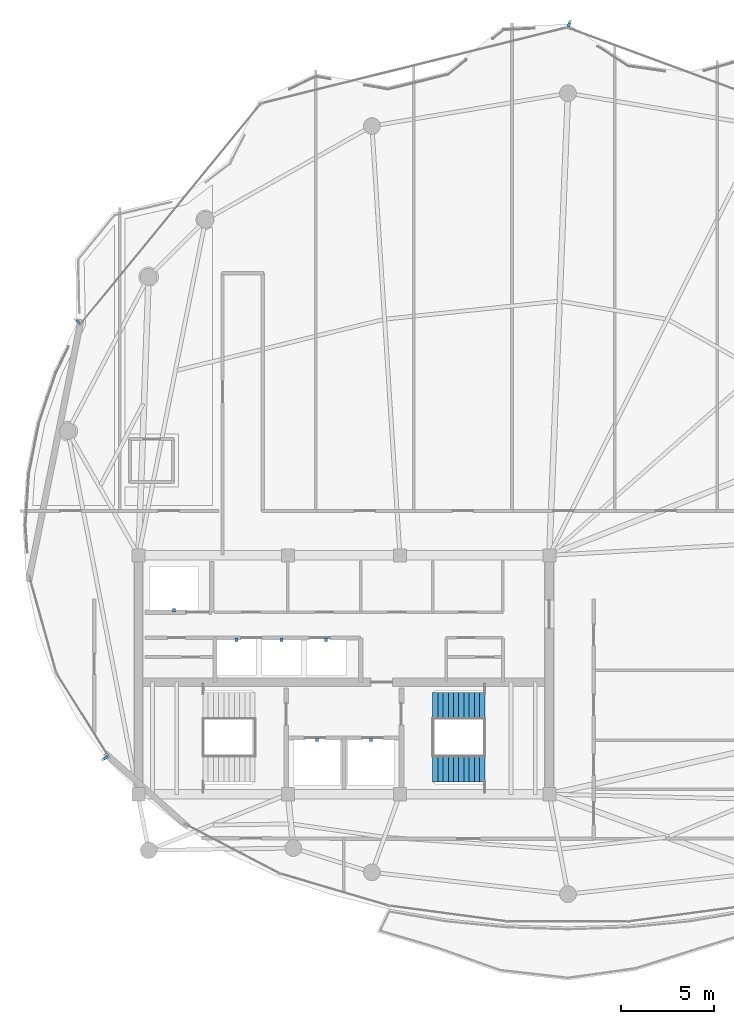
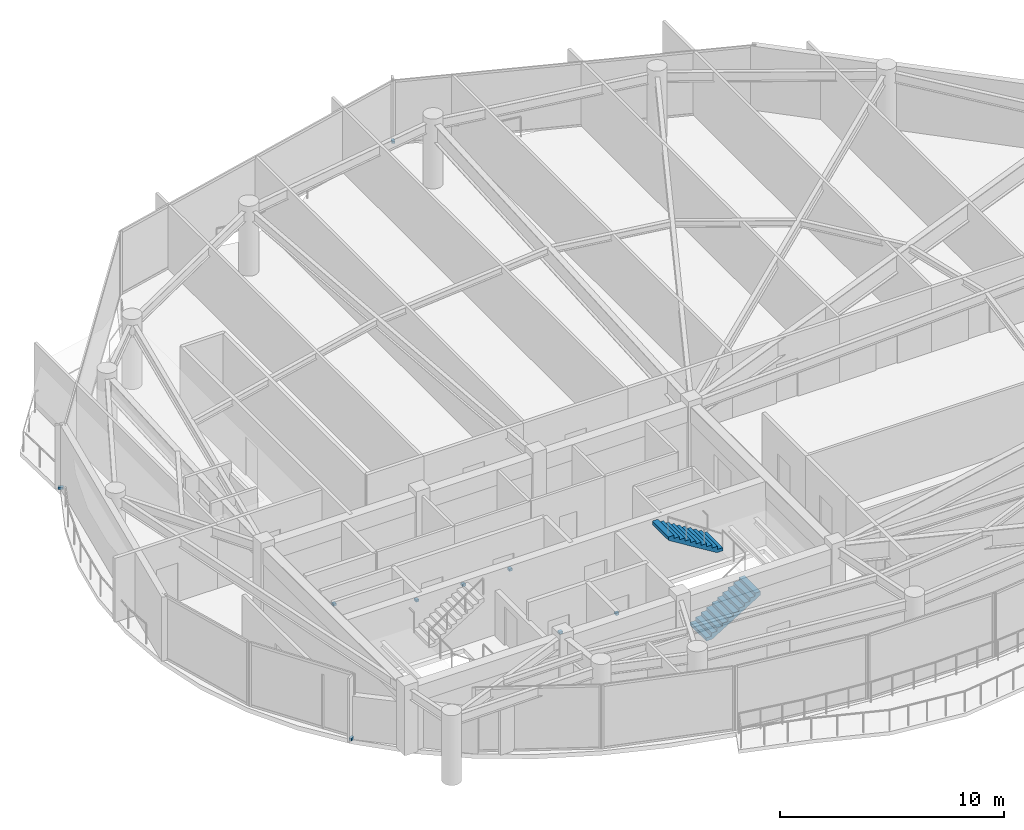
# One storey, part 26 of 29: 9 discrete accessories, 2 stair flights, 1 element without a shape of its own.
"""IFC4 building model written with IfcOpenShell, lengths in metres."""

import ifcopenshell
import ifcopenshell.guid

model = None  # the IFC model being written
_history = None  # IfcOwnerHistory: only IFC2X3 demands one
_inside = {}  # id of a spatial element -> (the spatial element, [elements in it])
_under = {}  # id of a project, library or spatial element -> (it, [spatial elements below it])
_declared = {}  # id of a project -> (the project, [libraries it declares])
_typed = {}  # id of a type object -> (the type object, [elements of that type])
_made_of = {}  # id of a material, layer set ... -> (it, [elements and type objects made of it])


def new_model(schema):
    """Start an empty IFC model of exactly this schema.

    Asked for "IFC4X3", IfcOpenShell would pick the latest addendum, in which some entities
    have other attributes; the version numbers below select the first issue.
    IFC2X3 requires an IfcOwnerHistory on every rooted entity: one is made here for all.
    """
    global model, _history
    if schema == "IFC4X3":
        model = ifcopenshell.file(schema_version=(4, 3, 0, 0))
    else:
        model = ifcopenshell.file(schema=schema)
    _inside.clear()
    _under.clear()
    _declared.clear()
    _typed.clear()
    _made_of.clear()
    _history = None
    if model.schema == "IFC2X3":
        org = make("IfcOrganization", Name="unknown")
        user = make(
            "IfcPersonAndOrganization",
            ThePerson=make("IfcPerson", FamilyName="unknown"),
            TheOrganization=org,
        )
        app = make(
            "IfcApplication",
            ApplicationDeveloper=org,
            Version="unknown",
            ApplicationFullName="unknown",
            ApplicationIdentifier="unknown",
        )
        _history = make(
            "IfcOwnerHistory",
            OwningUser=user,
            OwningApplication=app,
            ChangeAction="ADDED",
            CreationDate=0,
        )
    return model


def make(cls, **values):
    """One entity of the class cls with the attributes given. An attribute that is None is left unset."""
    return model.create_entity(
        cls, **{name: value for name, value in values.items() if value is not None}
    )


def rooted(cls, **values):
    """An entity with a GlobalId (a new one), such as an element, a storey or a relation."""
    return make(cls, GlobalId=ifcopenshell.guid.new(), OwnerHistory=_history, **values)


def si_unit(unit_type, name, prefix=None):
    """IfcSIUnit, for example si_unit("LENGTHUNIT", "METRE", prefix="MILLI")."""
    return make("IfcSIUnit", UnitType=unit_type, Prefix=prefix, Name=name)


def assignment(units):
    """IfcUnitAssignment: the units of a project."""
    return None if units is None else make("IfcUnitAssignment", Units=units)


def point(xyz):
    """IfcCartesianPoint."""
    return None if xyz is None else make("IfcCartesianPoint", Coordinates=xyz)


def direction(xyz):
    """IfcDirection."""
    return None if xyz is None else make("IfcDirection", DirectionRatios=xyz)


def frame(location, z_axis=None, x_axis=None):
    """IfcAxis2Placement3D, a coordinate frame: its origin and axes. An axis left out is left unset."""
    return make(
        "IfcAxis2Placement3D",
        Location=point(location),
        Axis=direction(z_axis),
        RefDirection=direction(x_axis),
    )


def frame_2d(location, x_axis=None):
    """IfcAxis2Placement2D, a coordinate frame in the plane: its origin and x axis."""
    return make(
        "IfcAxis2Placement2D", Location=point(location), RefDirection=direction(x_axis)
    )


def origin():
    """The frame at (0, 0, 0) with its axes left unset."""
    return frame((0.0, 0.0, 0.0))


def origin_2d():
    """The frame at (0, 0) in the plane with its x axis left unset."""
    return frame_2d((0.0, 0.0))


def place(relative_to, where):
    """IfcLocalPlacement: puts the frame where relative to a parent placement (None: the world)."""
    return make(
        "IfcLocalPlacement", PlacementRelTo=relative_to, RelativePlacement=where
    )


def context(
    kind, dimensions, precision=None, world=None, true_north=None, identifier=None
):
    """IfcGeometricRepresentationContext, for example the 3D "Model" context."""
    return make(
        "IfcGeometricRepresentationContext",
        ContextIdentifier=identifier,
        ContextType=kind,
        CoordinateSpaceDimension=dimensions,
        Precision=precision,
        WorldCoordinateSystem=world,
        TrueNorth=true_north,
    )


def subcontext(parent, identifier, kind, view, scale=None):
    """IfcGeometricRepresentationSubContext, for example "Body" below "Model"."""
    return make(
        "IfcGeometricRepresentationSubContext",
        ContextIdentifier=identifier,
        ContextType=kind,
        ParentContext=parent,
        TargetScale=scale,
        TargetView=view,
    )


def project(units=None, contexts=None):
    """IfcProject with its units and contexts."""
    return rooted(
        "IfcProject",
        Name="project",
        RepresentationContexts=contexts,
        UnitsInContext=assignment(units),
    )


def spatial(cls, under=None, at=None, **own):
    """A site, building, storey or space (cls), placed at a placement, below another one or the project."""
    s = rooted(cls, ObjectPlacement=at, **own)
    if under is not None:
        _under.setdefault(under.id(), (under, []))[1].append(s)
    return s


def polyline(points):
    """IfcPolyline through the points."""
    return make("IfcPolyline", Points=[point(p) for p in points])


def profile(cls, at=None, kind="AREA", **sizes):
    """A parametric profile (cls). Its sizes go by their IFC names, for example OverallWidth=200.0."""
    return make(cls, ProfileType=kind, Position=at, **sizes)


def rectangle(**sizes):
    """IfcRectangleProfileDef."""
    return profile("IfcRectangleProfileDef", **sizes)


def outline(outer, holes=None, kind="AREA"):
    """IfcArbitraryClosedProfileDef: a profile drawn as a closed curve; with holes, ...WithVoids."""
    if holes is None:
        return make("IfcArbitraryClosedProfileDef", ProfileType=kind, OuterCurve=outer)
    return make(
        "IfcArbitraryProfileDefWithVoids",
        ProfileType=kind,
        OuterCurve=outer,
        InnerCurves=holes,
    )


def extrude(swept, where, along, depth):
    """IfcExtrudedAreaSolid: the profile swept, set in the frame where, extruded along a direction by depth."""
    return make(
        "IfcExtrudedAreaSolid",
        SweptArea=swept,
        Position=where,
        ExtrudedDirection=direction(along),
        Depth=depth,
    )


def shape(context_of_items, identifier, shape_type, items):
    """IfcShapeRepresentation: the items that make up one representation, for example the "Body"."""
    return make(
        "IfcShapeRepresentation",
        ContextOfItems=context_of_items,
        RepresentationIdentifier=identifier,
        RepresentationType=shape_type,
        Items=items,
    )


def material(Name=None, Category=None):
    """IfcMaterial."""
    return make("IfcMaterial", Name=Name, Category=Category)


def layer(
    of_material, thickness, ventilated=None, Name=None, Category=None, Priority=None
):
    """IfcMaterialLayer: one layer of a wall or slab, of a material (None: an air gap)."""
    return make(
        "IfcMaterialLayer",
        Material=of_material,
        LayerThickness=thickness,
        IsVentilated=ventilated,
        Name=Name,
        Category=Category,
        Priority=Priority,
    )


def layer_set(layers, Name=None):
    """IfcMaterialLayerSet."""
    return make("IfcMaterialLayerSet", MaterialLayers=layers, LayerSetName=Name)


def made_of(thing, what):
    """Note that an element or type object is made of a material, layer set ...; save() writes the relation."""
    if what is not None:
        _made_of.setdefault(what.id(), (what, []))[1].append(thing)
    return thing


def type_object(cls, material=None, **own):
    """A type object (cls), such as IfcWallType, which elements share."""
    return made_of(rooted(cls, **own), material)


def element(
    cls,
    number,
    at=None,
    inside=None,
    cuts=None,
    type_object=None,
    material=None,
    context=None,
    identifier="Body",
    shape_type=None,
    held_by="IfcProductDefinitionShape",
    body=None,
    shapes=None,
    **own,
):
    """One element of the class cls, such as IfcWall. Its Tag is "e" and its number.

    at: its placement. inside: the storey or other place that contains it. cuts: it is an
    opening in that element (IfcRelVoidsElement). A single representation is given by context,
    identifier, shape_type and body (its items); several are given by shapes. held_by: the class
    of the entity that holds the representations. save() writes the other relations.
    """
    e = rooted(cls, Tag="e%d" % number, ObjectPlacement=at, **own)
    if body is not None:
        shapes = [shape(context, identifier, shape_type, body)]
    if shapes is not None:
        e.Representation = make(held_by, Representations=shapes)
    if inside is not None:
        _inside.setdefault(inside.id(), (inside, []))[1].append(e)
    if cuts is not None:
        rooted(
            "IfcRelVoidsElement", RelatingBuildingElement=cuts, RelatedOpeningElement=e
        )
    if type_object is not None:
        _typed.setdefault(type_object.id(), (type_object, []))[1].append(e)
    return made_of(e, material)


def aggregate(whole, parts):
    """IfcRelAggregates: a whole, such as a stair, and the parts it consists of."""
    return rooted("IfcRelAggregates", RelatingObject=whole, RelatedObjects=parts)


def save(model, path):
    """Write the relations noted so far, then the file.

    IfcRelAggregates (storeys below a building ...), IfcRelContainedInSpatialStructure (elements
    in a storey), IfcRelDefinesByType, IfcRelAssociatesMaterial and IfcRelDeclares: one each for
    every whole, place, type object, material and project.
    """
    for whole, parts in _under.values():
        aggregate(whole, parts)
    for where, things in _inside.values():
        rooted(
            "IfcRelContainedInSpatialStructure",
            RelatedElements=things,
            RelatingStructure=where,
        )
    for kind, things in _typed.values():
        rooted("IfcRelDefinesByType", RelatedObjects=things, RelatingType=kind)
    for what, things in _made_of.values():
        rooted("IfcRelAssociatesMaterial", RelatedObjects=things, RelatingMaterial=what)
    for by, libraries in _declared.values():
        rooted("IfcRelDeclares", RelatingContext=by, RelatedDefinitions=libraries)
    model.write(path)


model = new_model("IFC4")

# Units and contexts
model_context = context("Model", 3, precision=1e-05, world=origin(), true_north=direction((0.0, 1.0)))
body_context = subcontext(model_context, "Body", "Model", "MODEL_VIEW")
ifc_project = project(units=[si_unit("LENGTHUNIT", "METRE"), si_unit("AREAUNIT", "SQUARE_METRE"), si_unit("VOLUMEUNIT", "CUBIC_METRE"), si_unit("PLANEANGLEUNIT", "RADIAN"), si_unit("MASSUNIT", "GRAM", prefix="KILO")], contexts=[model_context])

# Site, building, storey
site_placement = place(None, origin())
site = spatial("IfcSite", under=ifc_project, at=site_placement, CompositionType="ELEMENT")
building_placement = place(site_placement, origin())
building = spatial("IfcBuilding", under=site, at=building_placement, Name="Kazevale Care Tower and Concert Hall", CompositionType="ELEMENT")
storey_placement = place(building_placement, frame((0.0, 0.0, 289.0)))
storey = spatial("IfcBuildingStorey", under=building, at=storey_placement, Name="L76", CompositionType="ELEMENT", Elevation=289.0)

# Stair, stair flights
ifc_material_1 = material(Name="Concrete C40", Category="concrete")
stair_type = type_object("IfcStairType", Name="Exit Stair Assembly ST1-U", PredefinedType="HALF_TURN_STAIR", material=ifc_material_1)
stair_placement = place(storey_placement, origin())
stair = element("IfcStair", 1, at=stair_placement, inside=storey, type_object=stair_type, Name="stair:L76:ST2", PredefinedType="HALF_TURN_STAIR")
ifc_layer = layer(ifc_material_1, 0.159912109375)
ifc_layer_set = layer_set([ifc_layer], Name="Concrete C40")
stair_flight_type = type_object("IfcStairFlightType", Name="Exit Stair Flight ST1-U", PredefinedType="STRAIGHT", material=ifc_layer_set)
stair_flight_1_placement = place(storey_placement, frame((37.75, 24.969970703125, 0.0), z_axis=(0.0, 0.0, 1.0), x_axis=(1.0, 0.0, 0.0)))
stair_flight_1 = element("IfcStairFlight", 2, at=stair_flight_1_placement, type_object=stair_flight_type, Name="ST1-U flight 1", NumberOfRisers=11, NumberOfTreads=10, PredefinedType="STRAIGHT", RiserHeight=0.172727, TreadLength=0.28, context=body_context, shape_type="SweptSolid", body=[
    extrude(outline(polyline([(0.0, 0.0), (0.0, 0.172607421875), (0.280029296875, 0.172607421875), (0.280029296875, 0.345458984375), (0.56005859375, 0.345458984375), (0.56005859375, 0.51806640625), (0.840087890625, 0.51806640625), (0.840087890625, 0.69091796875), (1.1201171875, 0.69091796875), (1.1201171875, 0.863525390625), (1.39990234375, 0.863525390625), (1.39990234375, 1.036376953125), (1.679931640625, 1.036376953125), (1.679931640625, 1.208984375), (1.9599609375, 1.208984375), (1.9599609375, 1.3818359375), (2.239990234375, 1.3818359375), (2.239990234375, 1.554443359375), (2.52001953125, 1.554443359375), (2.52001953125, 1.727294921875), (2.800048828125, 1.727294921875), (2.800048828125, 1.89990234375), (2.800048828125, 1.539306640625), (0.3046875, 0.0), (0.0, 0.0)])), frame((0.0, 0.719970703125, 0.0), z_axis=(0.0, -1.0, 0.0), x_axis=(1.0, 0.0, 0.0)), (0.0, 0.0, 1.0), 1.43994140625),
])
stair_flight_2_placement = place(storey_placement, frame((40.550048828125, 28.330078125, 1.89990234375), z_axis=(0.0, 0.0, 1.0), x_axis=(-1.0, 0.0, 0.0)))
stair_flight_2 = element("IfcStairFlight", 3, at=stair_flight_2_placement, type_object=stair_flight_type, Name="ST1-U flight 2", NumberOfRisers=11, NumberOfTreads=10, PredefinedType="STRAIGHT", RiserHeight=0.172727, TreadLength=0.28, context=body_context, shape_type="SweptSolid", body=[
    extrude(outline(polyline([(0.0, 0.0), (0.0, 0.172607421875), (0.280029296875, 0.172607421875), (0.280029296875, 0.345458984375), (0.56005859375, 0.345458984375), (0.56005859375, 0.51806640625), (0.840087890625, 0.51806640625), (0.840087890625, 0.69091796875), (1.1201171875, 0.69091796875), (1.1201171875, 0.863525390625), (1.39990234375, 0.863525390625), (1.39990234375, 1.036376953125), (1.679931640625, 1.036376953125), (1.679931640625, 1.208984375), (1.9599609375, 1.208984375), (1.9599609375, 1.3818359375), (2.239990234375, 1.3818359375), (2.239990234375, 1.554443359375), (2.52001953125, 1.554443359375), (2.52001953125, 1.727294921875), (2.800048828125, 1.727294921875), (2.800048828125, 1.89990234375), (2.800048828125, 1.539306640625), (0.3046875, 0.0), (0.0, 0.0)])), frame((0.0, 0.719970703125, 0.0), z_axis=(0.0, -1.0, 0.0), x_axis=(1.0, 0.0, 0.0)), (0.0, 0.0, 1.0), 1.43994140625),
])
aggregate(stair, [stair_flight_1, stair_flight_2])

# Discrete accessories
ifc_material_2 = material(Name="Stainless Steel 316", Category="steel")
discrete_accessory_type_1 = type_object("IfcDiscreteAccessoryType", Name="Facade Fin Stainless Anchor Bracket BRK-1", PredefinedType="BRACKET", material=ifc_material_2)
for number, where, z_axis, x_axis, name in (
    (4, (20.247802734375, 25.560302734375, 0.0), (0.0, 0.0, 1.0), (-0.846657866138, -0.532137630417, 0.0), "cw:L76:f11:brk"),
    (5, (18.766845703125, 48.902587890625, 0.0), (0.0, 0.0, 1.0), (-0.773840209727, 0.633380872628, 0.0), "cw:L76:f14:brk"),
    (6, (45.047607421875, 64.8125, 0.0), (0.0, 0.0, 1.0), (0.346935651573, 0.937888934612, 0.0), "cw:L76:f16:brk"),
):
    element("IfcDiscreteAccessory", number, at=place(storey_placement, frame(where, z_axis=z_axis, x_axis=x_axis)), inside=storey, type_object=discrete_accessory_type_1, Name=name, PredefinedType="BRACKET", context=body_context, shape_type="SweptSolid", body=[
        extrude(rectangle(XDim=0.239990234375, YDim=0.139892578125, at=origin_2d()), origin(), (0.0, 0.0, 1.0), 0.1201171875),
    ])
discrete_accessory_type_2 = type_object("IfcDiscreteAccessoryType", Name="Hoistway Guide-Rail Wall Bracket HBRK-1", PredefinedType="BRACKET", material=ifc_material_2)
for number, where, z_axis, x_axis, name in (
    (7, (31.550048828125, 26.52001953125, 1.239990234375), (0.0, 0.0, 1.0), (1.0, 0.0, 0.0), "hbrk:FFL-1:L76"),
    (8, (34.449951171875, 26.52001953125, 1.239990234375), (0.0, 0.0, 1.0), (1.0, 0.0, 0.0), "hbrk:FFL-2:L76"),
    (9, (23.89990234375, 33.449951171875, 1.239990234375), (0.0, 0.0, 1.0), (1.0, 0.0, 0.0), "hbrk:SVL-1:L76"),
    (10, (27.25, 31.8798828125, 1.239990234375), (0.0, 0.0, 1.0), (1.0, 0.0, 0.0), "hbrk:PH-1:L76"),
    (11, (29.64990234375, 31.8798828125, 1.239990234375), (0.0, 0.0, 1.0), (1.0, 0.0, 0.0), "hbrk:PH-2:L76"),
    (12, (32.050048828125, 31.8798828125, 1.239990234375), (0.0, 0.0, 1.0), (1.0, 0.0, 0.0), "hbrk:PH-3:L76"),
):
    element("IfcDiscreteAccessory", number, at=place(storey_placement, frame(where, z_axis=z_axis, x_axis=x_axis)), inside=storey, type_object=discrete_accessory_type_2, Name=name, PredefinedType="BRACKET", context=body_context, shape_type="SweptSolid", body=[
        extrude(rectangle(XDim=0.159912109375, YDim=0.179931640625, at=origin_2d()), origin(), (0.0, 0.0, 1.0), 0.1201171875),
    ])

save(model, "model.ifc")
